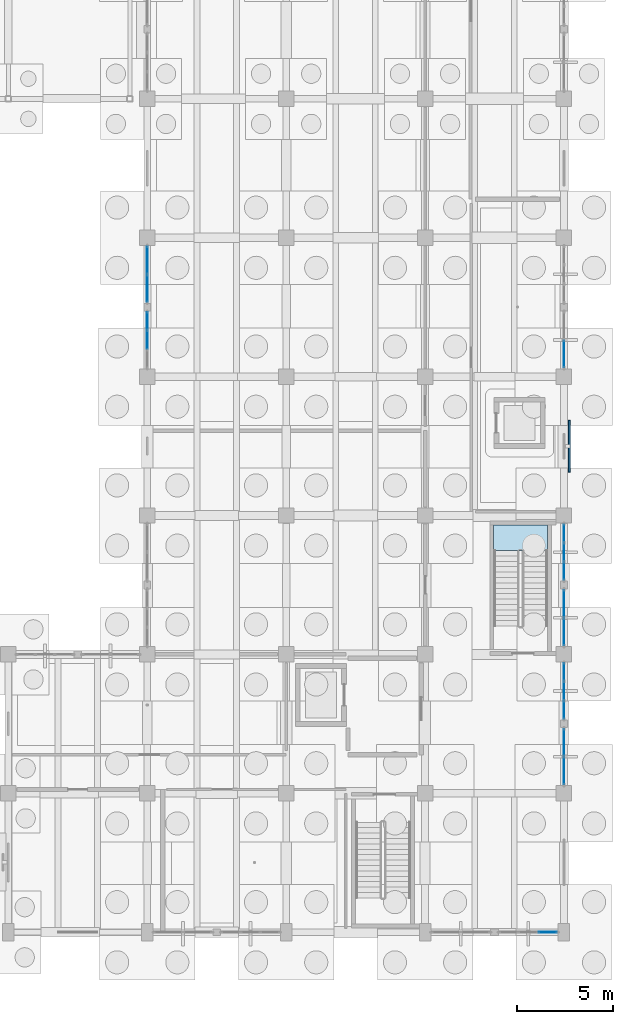
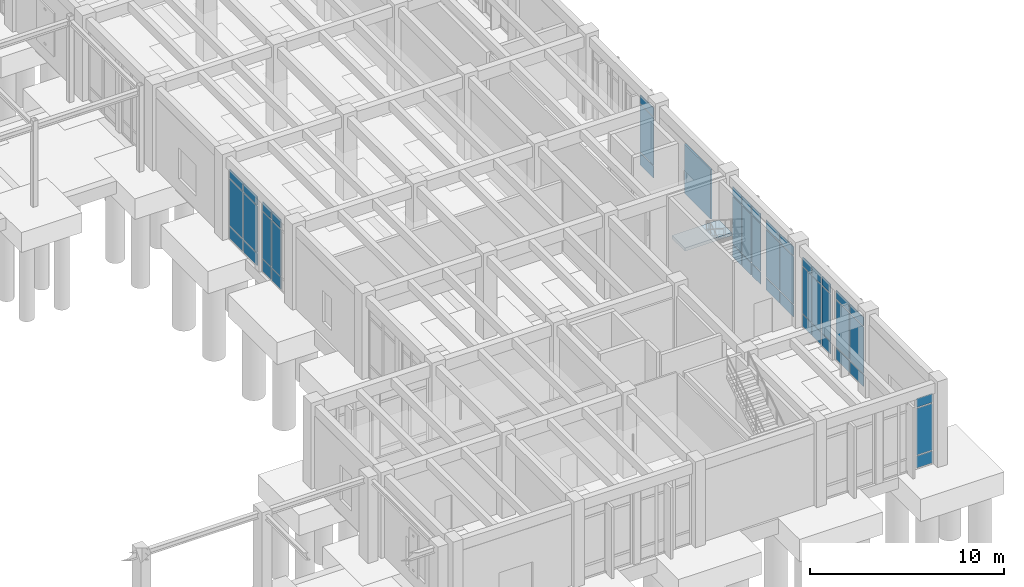
# One storey, part 57 of 93: 49 plates, 1 slab, 9 elements without a shape of their own.
"""IFC4 building model written with IfcOpenShell, lengths in metres."""

from ifc_helpers import new_model, si_unit, direction, frame, origin, origin_2d, place, context, subcontext, project, spatial, polyline, rectangle, outline, extrude, material, layer, layer_set, type_object, element, aggregate, save


model = new_model("IFC4")

# Units and contexts
model_context = context("Model", 3, precision=1e-05, world=origin(), true_north=direction((0.0, 1.0)))
body_context = subcontext(model_context, "Body", "Model", "MODEL_VIEW")
ifc_project = project(units=[si_unit("LENGTHUNIT", "METRE"), si_unit("AREAUNIT", "SQUARE_METRE"), si_unit("VOLUMEUNIT", "CUBIC_METRE"), si_unit("PLANEANGLEUNIT", "RADIAN"), si_unit("MASSUNIT", "GRAM", prefix="KILO")], contexts=[model_context])

# Site, building, storey
site_placement = place(None, origin())
site = spatial("IfcSite", under=ifc_project, at=site_placement, CompositionType="ELEMENT")
building_placement = place(site_placement, origin())
building = spatial("IfcBuilding", under=site, at=building_placement, Name="Koriwan Promenade Central Fire Station", CompositionType="ELEMENT")
storey_placement = place(building_placement, origin())
storey = spatial("IfcBuildingStorey", under=building, at=storey_placement, Name="L00", CompositionType="ELEMENT", Elevation=0.0)

# Curtain wall, plates
ifc_material_1 = material(Name="Aluminium EN AW-6063-T6 and low-E glazing", Category="aluminium")
ifc_layer_1 = layer(ifc_material_1, 0.159912109375, Name="Aluminium EN AW-6063-T6 and low-E glazing")
ifc_layer_set_1 = layer_set([ifc_layer_1], Name="Aluminium EN AW-6063-T6 and low-E glazing")
curtain_wall_type_1 = type_object("IfcCurtainWallType", Name="CurtainWall_48_310x449", PredefinedType="USERDEFINED", material=ifc_layer_set_1)
curtain_wall_1_placement = place(storey_placement, origin())
curtain_wall_1 = element("IfcCurtainWall", 1, at=curtain_wall_1_placement, inside=storey, type_object=curtain_wall_type_1, Name="V5 L00 unitised curtain wall 129", ObjectType="UNITISED CURTAIN WALL", PredefinedType="USERDEFINED")
ifc_material_2 = material(Name="Blast-resistant laminated safety glazing", Category="glass")
ifc_layer_2 = layer(ifc_material_2, 0.035888671875, Name="Blast-resistant laminated safety glazing")
ifc_layer_set_2 = layer_set([ifc_layer_2], Name="Blast-resistant laminated safety glazing")
plate_type_1 = type_object("IfcPlateType", Name="CWPanel_36", PredefinedType="CURTAIN_PANEL", material=ifc_layer_set_2)
plate_1_placement = place(storey_placement, frame((171.967041015625, 0.0, 0.06494140625), z_axis=(0.0, 0.0, 1.0), x_axis=(-1.0, 0.0, 0.0)))
plate_1 = element("IfcPlate", 2, at=plate_1_placement, type_object=plate_type_1, Name="CW-48 panel 1.1", PredefinedType="CURTAIN_PANEL", context=body_context, shape_type="SweptSolid", body=[
    extrude(rectangle(XDim=0.935791015625, YDim=0.035888671875, at=origin_2d()), origin(), (0.0, 0.0, 1.0), 0.75244140625),
])
plate_2_placement = place(storey_placement, frame((171.967041015625, 0.0, 0.88232421875), z_axis=(0.0, 0.0, 1.0), x_axis=(-1.0, 0.0, 0.0)))
plate_2 = element("IfcPlate", 3, at=plate_2_placement, type_object=plate_type_1, Name="CW-48 panel 1.2", PredefinedType="CURTAIN_PANEL", context=body_context, shape_type="SweptSolid", body=[
    extrude(rectangle(XDim=0.935791015625, YDim=0.035888671875, at=origin_2d()), origin(), (0.0, 0.0, 1.0), 2.925048828125),
])
plate_3_placement = place(storey_placement, frame((171.967041015625, 0.0, 3.87255859375), z_axis=(0.0, 0.0, 1.0), x_axis=(-1.0, 0.0, 0.0)))
plate_3 = element("IfcPlate", 4, at=plate_3_placement, type_object=plate_type_1, Name="CW-48 panel 1.3", PredefinedType="CURTAIN_PANEL", context=body_context, shape_type="SweptSolid", body=[
    extrude(rectangle(XDim=0.935791015625, YDim=0.035888671875, at=origin_2d()), origin(), (0.0, 0.0, 1.0), 0.552490234375),
])
aggregate(curtain_wall_1, [plate_1, plate_2, plate_3])

ifc_layer_3 = layer(ifc_material_1, 0.159912109375, Name="Aluminium EN AW-6063-T6 and low-E glazing")
ifc_layer_set_3 = layer_set([ifc_layer_3], Name="Aluminium EN AW-6063-T6 and low-E glazing")
curtain_wall_type_2 = type_object("IfcCurtainWallType", Name="CurtainWall_51_300x449", PredefinedType="USERDEFINED", material=ifc_layer_set_3)
curtain_wall_2_placement = place(storey_placement, origin())
curtain_wall_2 = element("IfcCurtainWall", 5, at=curtain_wall_2_placement, inside=storey, type_object=curtain_wall_type_2, Name="V5 L00 unitised curtain wall 137", ObjectType="UNITISED CURTAIN WALL", PredefinedType="USERDEFINED")
plate_4_placement = place(storey_placement, frame((151.199951171875, 30.699951171875, 0.06494140625), z_axis=(0.0, 0.0, 1.0), x_axis=(0.0, 1.0, 0.0)))
plate_4 = element("IfcPlate", 6, at=plate_4_placement, type_object=plate_type_1, Name="CW-51 panel 2.1", PredefinedType="CURTAIN_PANEL", context=body_context, shape_type="SweptSolid", body=[
    extrude(rectangle(XDim=0.93505859375, YDim=0.035888671875, at=origin_2d()), origin(), (0.0, 0.0, 1.0), 0.75244140625),
])
plate_5_placement = place(storey_placement, frame((151.199951171875, 30.699951171875, 0.88232421875), z_axis=(0.0, 0.0, 1.0), x_axis=(0.0, 1.0, 0.0)))
plate_5 = element("IfcPlate", 7, at=plate_5_placement, type_object=plate_type_1, Name="CW-51 panel 2.2", PredefinedType="CURTAIN_PANEL", context=body_context, shape_type="SweptSolid", body=[
    extrude(rectangle(XDim=0.93505859375, YDim=0.035888671875, at=origin_2d()), origin(), (0.0, 0.0, 1.0), 2.925048828125),
])
plate_6_placement = place(storey_placement, frame((151.199951171875, 30.699951171875, 3.87255859375), z_axis=(0.0, 0.0, 1.0), x_axis=(0.0, 1.0, 0.0)))
plate_6 = element("IfcPlate", 8, at=plate_6_placement, type_object=plate_type_1, Name="CW-51 panel 2.3", PredefinedType="CURTAIN_PANEL", context=body_context, shape_type="SweptSolid", body=[
    extrude(rectangle(XDim=0.93505859375, YDim=0.035888671875, at=origin_2d()), origin(), (0.0, 0.0, 1.0), 0.552490234375),
])
plate_7_placement = place(storey_placement, frame((151.199951171875, 31.683837890625, 0.06494140625), z_axis=(0.0, 0.0, 1.0), x_axis=(0.0, 1.0, 0.0)))
plate_7 = element("IfcPlate", 9, at=plate_7_placement, type_object=plate_type_1, Name="CW-51 panel 3.1", PredefinedType="CURTAIN_PANEL", context=body_context, shape_type="SweptSolid", body=[
    extrude(rectangle(XDim=0.902587890625, YDim=0.035888671875, at=origin_2d()), origin(), (0.0, 0.0, 1.0), 0.75244140625),
])
plate_8_placement = place(storey_placement, frame((151.199951171875, 31.683837890625, 0.88232421875), z_axis=(0.0, 0.0, 1.0), x_axis=(0.0, 1.0, 0.0)))
plate_8 = element("IfcPlate", 10, at=plate_8_placement, type_object=plate_type_1, Name="CW-51 panel 3.2", PredefinedType="CURTAIN_PANEL", context=body_context, shape_type="SweptSolid", body=[
    extrude(rectangle(XDim=0.902587890625, YDim=0.035888671875, at=origin_2d()), origin(), (0.0, 0.0, 1.0), 2.925048828125),
])
plate_9_placement = place(storey_placement, frame((151.199951171875, 31.683837890625, 3.87255859375), z_axis=(0.0, 0.0, 1.0), x_axis=(0.0, 1.0, 0.0)))
plate_9 = element("IfcPlate", 11, at=plate_9_placement, type_object=plate_type_1, Name="CW-51 panel 3.3", PredefinedType="CURTAIN_PANEL", context=body_context, shape_type="SweptSolid", body=[
    extrude(rectangle(XDim=0.902587890625, YDim=0.035888671875, at=origin_2d()), origin(), (0.0, 0.0, 1.0), 0.552490234375),
])
aggregate(curtain_wall_2, [plate_4, plate_5, plate_6, plate_7, plate_8, plate_9])

ifc_layer_4 = layer(ifc_material_1, 0.159912109375, Name="Aluminium EN AW-6063-T6 and low-E glazing")
ifc_layer_set_4 = layer_set([ifc_layer_4], Name="Aluminium EN AW-6063-T6 and low-E glazing")
curtain_wall_type_3 = type_object("IfcCurtainWallType", Name="CurtainWall_52_300x449", PredefinedType="USERDEFINED", material=ifc_layer_set_4)
curtain_wall_3_placement = place(storey_placement, origin())
curtain_wall_3 = element("IfcCurtainWall", 12, at=curtain_wall_3_placement, inside=storey, type_object=curtain_wall_type_3, Name="V5 L00 unitised curtain wall 138", ObjectType="UNITISED CURTAIN WALL", PredefinedType="USERDEFINED")
plate_10_placement = place(storey_placement, frame((151.199951171875, 33.36865234375, 0.0751953125), z_axis=(0.0, 0.0, 1.0), x_axis=(0.0, 1.0, 0.0)))
plate_10 = element("IfcPlate", 13, at=plate_10_placement, type_object=plate_type_1, Name="CW-52 panel 1.1", PredefinedType="CURTAIN_PANEL", context=body_context, shape_type="SweptSolid", body=[
    extrude(rectangle(XDim=1.387451171875, YDim=0.035888671875, at=origin_2d()), origin(), (0.0, 0.0, 1.0), 0.737548828125),
])
plate_11_placement = place(storey_placement, frame((151.199951171875, 33.36865234375, 0.887451171875), z_axis=(0.0, 0.0, 1.0), x_axis=(0.0, 1.0, 0.0)))
plate_11 = element("IfcPlate", 14, at=plate_11_placement, type_object=plate_type_1, Name="CW-52 panel 1.2", PredefinedType="CURTAIN_PANEL", context=body_context, shape_type="SweptSolid", body=[
    extrude(rectangle(XDim=1.387451171875, YDim=0.035888671875, at=origin_2d()), origin(), (0.0, 0.0, 1.0), 2.9150390625),
])
plate_12_placement = place(storey_placement, frame((151.199951171875, 33.36865234375, 3.87744140625), z_axis=(0.0, 0.0, 1.0), x_axis=(0.0, 1.0, 0.0)))
plate_12 = element("IfcPlate", 15, at=plate_12_placement, type_object=plate_type_1, Name="CW-52 panel 1.3", PredefinedType="CURTAIN_PANEL", context=body_context, shape_type="SweptSolid", body=[
    extrude(rectangle(XDim=1.387451171875, YDim=0.035888671875, at=origin_2d()), origin(), (0.0, 0.0, 1.0), 0.53759765625),
])
plate_13_placement = place(storey_placement, frame((151.199951171875, 34.831298828125, 0.0751953125), z_axis=(0.0, 0.0, 1.0), x_axis=(0.0, 1.0, 0.0)))
plate_13 = element("IfcPlate", 16, at=plate_13_placement, type_object=plate_type_1, Name="CW-52 panel 2.1", PredefinedType="CURTAIN_PANEL", context=body_context, shape_type="SweptSolid", body=[
    extrude(rectangle(XDim=1.387451171875, YDim=0.035888671875, at=origin_2d()), origin(), (0.0, 0.0, 1.0), 0.737548828125),
])
plate_14_placement = place(storey_placement, frame((151.199951171875, 34.831298828125, 0.887451171875), z_axis=(0.0, 0.0, 1.0), x_axis=(0.0, 1.0, 0.0)))
plate_14 = element("IfcPlate", 17, at=plate_14_placement, type_object=plate_type_1, Name="CW-52 panel 2.2", PredefinedType="CURTAIN_PANEL", context=body_context, shape_type="SweptSolid", body=[
    extrude(rectangle(XDim=1.387451171875, YDim=0.035888671875, at=origin_2d()), origin(), (0.0, 0.0, 1.0), 2.9150390625),
])
plate_15_placement = place(storey_placement, frame((151.199951171875, 34.831298828125, 3.87744140625), z_axis=(0.0, 0.0, 1.0), x_axis=(0.0, 1.0, 0.0)))
plate_15 = element("IfcPlate", 18, at=plate_15_placement, type_object=plate_type_1, Name="CW-52 panel 2.3", PredefinedType="CURTAIN_PANEL", context=body_context, shape_type="SweptSolid", body=[
    extrude(rectangle(XDim=1.387451171875, YDim=0.035888671875, at=origin_2d()), origin(), (0.0, 0.0, 1.0), 0.53759765625),
])
aggregate(curtain_wall_3, [plate_10, plate_11, plate_12, plate_13, plate_14, plate_15])

ifc_layer_5 = layer(ifc_material_1, 0.159912109375, Name="Aluminium EN AW-6063-T6 and low-E glazing")
ifc_layer_set_5 = layer_set([ifc_layer_5], Name="Aluminium EN AW-6063-T6 and low-E glazing")
curtain_wall_type_4 = type_object("IfcCurtainWallType", Name="CurtainWall_60_300x454", PredefinedType="USERDEFINED", material=ifc_layer_set_5)
curtain_wall_4_placement = place(storey_placement, origin())
curtain_wall_4 = element("IfcCurtainWall", 19, at=curtain_wall_4_placement, inside=storey, type_object=curtain_wall_type_4, Name="V5 L00 unitised curtain wall 156", ObjectType="UNITISED CURTAIN WALL", PredefinedType="USERDEFINED")
plate_16_placement = place(storey_placement, frame((172.800048828125, 29.96875, 0.0751953125), z_axis=(0.0, 0.0, 1.0), x_axis=(0.0, -1.0, 0.0)))
plate_16 = element("IfcPlate", 20, at=plate_16_placement, type_object=plate_type_1, Name="CW-60 panel 2.1", PredefinedType="CURTAIN_PANEL", context=body_context, shape_type="SweptSolid", body=[
    extrude(rectangle(XDim=1.387451171875, YDim=0.035888671875, at=origin_2d()), origin(), (0.0, 0.0, 1.0), 0.737548828125),
])
plate_17_placement = place(storey_placement, frame((172.800048828125, 29.96875, 0.8876953125), z_axis=(0.0, 0.0, 1.0), x_axis=(0.0, -1.0, 0.0)))
plate_17 = element("IfcPlate", 21, at=plate_17_placement, type_object=plate_type_1, Name="CW-60 panel 2.2", PredefinedType="CURTAIN_PANEL", context=body_context, shape_type="SweptSolid", body=[
    extrude(rectangle(XDim=1.387451171875, YDim=0.035888671875, at=origin_2d()), origin(), (0.0, 0.0, 1.0), 2.965087890625),
])
plate_18_placement = place(storey_placement, frame((172.800048828125, 29.96875, 3.927490234375), z_axis=(0.0, 0.0, 1.0), x_axis=(0.0, -1.0, 0.0)))
plate_18 = element("IfcPlate", 22, at=plate_18_placement, type_object=plate_type_1, Name="CW-60 panel 2.3", PredefinedType="CURTAIN_PANEL", context=body_context, shape_type="SweptSolid", body=[
    extrude(rectangle(XDim=1.387451171875, YDim=0.035888671875, at=origin_2d()), origin(), (0.0, 0.0, 1.0), 0.53759765625),
])
aggregate(curtain_wall_4, [plate_16, plate_17, plate_18])

ifc_layer_6 = layer(ifc_material_1, 0.159912109375, Name="Aluminium EN AW-6063-T6 and low-E glazing")
ifc_layer_set_6 = layer_set([ifc_layer_6], Name="Aluminium EN AW-6063-T6 and low-E glazing")
curtain_wall_type_5 = type_object("IfcCurtainWallType", Name="CurtainWall_59_300x454", PredefinedType="USERDEFINED", material=ifc_layer_set_6)
curtain_wall_5_placement = place(storey_placement, origin())
curtain_wall_5 = element("IfcCurtainWall", 23, at=curtain_wall_5_placement, inside=storey, type_object=curtain_wall_type_5, Name="V5 L00 unitised curtain wall 157", ObjectType="UNITISED CURTAIN WALL", PredefinedType="USERDEFINED")
plate_19_placement = place(storey_placement, frame((172.800048828125, 20.683837890625, 0.06494140625), z_axis=(0.0, 0.0, 1.0), x_axis=(0.0, -1.0, 0.0)))
plate_19 = element("IfcPlate", 24, at=plate_19_placement, type_object=plate_type_1, Name="CW-59 panel 1.1", PredefinedType="CURTAIN_PANEL", context=body_context, shape_type="SweptSolid", body=[
    extrude(rectangle(XDim=0.902587890625, YDim=0.035888671875, at=origin_2d()), origin(), (0.0, 0.0, 1.0), 0.75244140625),
])
plate_20_placement = place(storey_placement, frame((172.800048828125, 20.683837890625, 0.882568359375), z_axis=(0.0, 0.0, 1.0), x_axis=(0.0, -1.0, 0.0)))
plate_20 = element("IfcPlate", 25, at=plate_20_placement, type_object=plate_type_1, Name="CW-59 panel 1.2", PredefinedType="CURTAIN_PANEL", context=body_context, shape_type="SweptSolid", body=[
    extrude(rectangle(XDim=0.902587890625, YDim=0.035888671875, at=origin_2d()), origin(), (0.0, 0.0, 1.0), 2.97509765625),
])
plate_21_placement = place(storey_placement, frame((172.800048828125, 20.683837890625, 3.92236328125), z_axis=(0.0, 0.0, 1.0), x_axis=(0.0, -1.0, 0.0)))
plate_21 = element("IfcPlate", 26, at=plate_21_placement, type_object=plate_type_1, Name="CW-59 panel 1.3", PredefinedType="CURTAIN_PANEL", context=body_context, shape_type="SweptSolid", body=[
    extrude(rectangle(XDim=0.902587890625, YDim=0.035888671875, at=origin_2d()), origin(), (0.0, 0.0, 1.0), 0.552490234375),
])
plate_22_placement = place(storey_placement, frame((172.800048828125, 19.699951171875, 0.06494140625), z_axis=(0.0, 0.0, 1.0), x_axis=(0.0, -1.0, 0.0)))
plate_22 = element("IfcPlate", 27, at=plate_22_placement, type_object=plate_type_1, Name="CW-59 panel 2.1", PredefinedType="CURTAIN_PANEL", context=body_context, shape_type="SweptSolid", body=[
    extrude(rectangle(XDim=0.93505859375, YDim=0.035888671875, at=origin_2d()), origin(), (0.0, 0.0, 1.0), 0.75244140625),
])
plate_23_placement = place(storey_placement, frame((172.800048828125, 19.699951171875, 0.882568359375), z_axis=(0.0, 0.0, 1.0), x_axis=(0.0, -1.0, 0.0)))
plate_23 = element("IfcPlate", 28, at=plate_23_placement, type_object=plate_type_1, Name="CW-59 panel 2.2", PredefinedType="CURTAIN_PANEL", context=body_context, shape_type="SweptSolid", body=[
    extrude(rectangle(XDim=0.93505859375, YDim=0.035888671875, at=origin_2d()), origin(), (0.0, 0.0, 1.0), 2.97509765625),
])
plate_24_placement = place(storey_placement, frame((172.800048828125, 19.699951171875, 3.92236328125), z_axis=(0.0, 0.0, 1.0), x_axis=(0.0, -1.0, 0.0)))
plate_24 = element("IfcPlate", 29, at=plate_24_placement, type_object=plate_type_1, Name="CW-59 panel 2.3", PredefinedType="CURTAIN_PANEL", context=body_context, shape_type="SweptSolid", body=[
    extrude(rectangle(XDim=0.93505859375, YDim=0.035888671875, at=origin_2d()), origin(), (0.0, 0.0, 1.0), 0.552490234375),
])
plate_25_placement = place(storey_placement, frame((172.800048828125, 18.71630859375, 0.06494140625), z_axis=(0.0, 0.0, 1.0), x_axis=(0.0, -1.0, 0.0)))
plate_25 = element("IfcPlate", 30, at=plate_25_placement, type_object=plate_type_1, Name="CW-59 panel 3.1", PredefinedType="CURTAIN_PANEL", context=body_context, shape_type="SweptSolid", body=[
    extrude(rectangle(XDim=0.902587890625, YDim=0.035888671875, at=origin_2d()), origin(), (0.0, 0.0, 1.0), 0.75244140625),
])
plate_26_placement = place(storey_placement, frame((172.800048828125, 18.71630859375, 0.882568359375), z_axis=(0.0, 0.0, 1.0), x_axis=(0.0, -1.0, 0.0)))
plate_26 = element("IfcPlate", 31, at=plate_26_placement, type_object=plate_type_1, Name="CW-59 panel 3.2", PredefinedType="CURTAIN_PANEL", context=body_context, shape_type="SweptSolid", body=[
    extrude(rectangle(XDim=0.902587890625, YDim=0.035888671875, at=origin_2d()), origin(), (0.0, 0.0, 1.0), 2.97509765625),
])
plate_27_placement = place(storey_placement, frame((172.800048828125, 18.71630859375, 3.92236328125), z_axis=(0.0, 0.0, 1.0), x_axis=(0.0, -1.0, 0.0)))
plate_27 = element("IfcPlate", 32, at=plate_27_placement, type_object=plate_type_1, Name="CW-59 panel 3.3", PredefinedType="CURTAIN_PANEL", context=body_context, shape_type="SweptSolid", body=[
    extrude(rectangle(XDim=0.902587890625, YDim=0.035888671875, at=origin_2d()), origin(), (0.0, 0.0, 1.0), 0.552490234375),
])
aggregate(curtain_wall_5, [plate_19, plate_20, plate_21, plate_22, plate_23, plate_24, plate_25, plate_26, plate_27])

curtain_wall_6_placement = place(storey_placement, origin())
curtain_wall_6 = element("IfcCurtainWall", 33, at=curtain_wall_6_placement, inside=storey, type_object=curtain_wall_type_4, Name="V5 L00 unitised curtain wall 158", ObjectType="UNITISED CURTAIN WALL", PredefinedType="USERDEFINED")
plate_28_placement = place(storey_placement, frame((172.800048828125, 17.03125, 0.0751953125), z_axis=(0.0, 0.0, 1.0), x_axis=(0.0, -1.0, 0.0)))
plate_28 = element("IfcPlate", 34, at=plate_28_placement, type_object=plate_type_1, Name="CW-60 panel 1.1", PredefinedType="CURTAIN_PANEL", context=body_context, shape_type="SweptSolid", body=[
    extrude(rectangle(XDim=1.387451171875, YDim=0.035888671875, at=origin_2d()), origin(), (0.0, 0.0, 1.0), 0.737548828125),
])
plate_29_placement = place(storey_placement, frame((172.800048828125, 17.03125, 0.8876953125), z_axis=(0.0, 0.0, 1.0), x_axis=(0.0, -1.0, 0.0)))
plate_29 = element("IfcPlate", 35, at=plate_29_placement, type_object=plate_type_1, Name="CW-60 panel 1.2", PredefinedType="CURTAIN_PANEL", context=body_context, shape_type="SweptSolid", body=[
    extrude(rectangle(XDim=1.387451171875, YDim=0.035888671875, at=origin_2d()), origin(), (0.0, 0.0, 1.0), 2.965087890625),
])
plate_30_placement = place(storey_placement, frame((172.800048828125, 17.03125, 3.927490234375), z_axis=(0.0, 0.0, 1.0), x_axis=(0.0, -1.0, 0.0)))
plate_30 = element("IfcPlate", 36, at=plate_30_placement, type_object=plate_type_1, Name="CW-60 panel 1.3", PredefinedType="CURTAIN_PANEL", context=body_context, shape_type="SweptSolid", body=[
    extrude(rectangle(XDim=1.387451171875, YDim=0.035888671875, at=origin_2d()), origin(), (0.0, 0.0, 1.0), 0.53759765625),
])
plate_31_placement = place(storey_placement, frame((172.800048828125, 15.56884765625, 0.0751953125), z_axis=(0.0, 0.0, 1.0), x_axis=(0.0, -1.0, 0.0)))
plate_31 = element("IfcPlate", 37, at=plate_31_placement, type_object=plate_type_1, Name="CW-60 panel 2.1", PredefinedType="CURTAIN_PANEL", context=body_context, shape_type="SweptSolid", body=[
    extrude(rectangle(XDim=1.387451171875, YDim=0.035888671875, at=origin_2d()), origin(), (0.0, 0.0, 1.0), 0.737548828125),
])
plate_32_placement = place(storey_placement, frame((172.800048828125, 15.56884765625, 0.8876953125), z_axis=(0.0, 0.0, 1.0), x_axis=(0.0, -1.0, 0.0)))
plate_32 = element("IfcPlate", 38, at=plate_32_placement, type_object=plate_type_1, Name="CW-60 panel 2.2", PredefinedType="CURTAIN_PANEL", context=body_context, shape_type="SweptSolid", body=[
    extrude(rectangle(XDim=1.387451171875, YDim=0.035888671875, at=origin_2d()), origin(), (0.0, 0.0, 1.0), 2.965087890625),
])
plate_33_placement = place(storey_placement, frame((172.800048828125, 15.56884765625, 3.927490234375), z_axis=(0.0, 0.0, 1.0), x_axis=(0.0, -1.0, 0.0)))
plate_33 = element("IfcPlate", 39, at=plate_33_placement, type_object=plate_type_1, Name="CW-60 panel 2.3", PredefinedType="CURTAIN_PANEL", context=body_context, shape_type="SweptSolid", body=[
    extrude(rectangle(XDim=1.387451171875, YDim=0.035888671875, at=origin_2d()), origin(), (0.0, 0.0, 1.0), 0.53759765625),
])
aggregate(curtain_wall_6, [plate_28, plate_29, plate_30, plate_31, plate_32, plate_33])

curtain_wall_7_placement = place(storey_placement, origin())
curtain_wall_7 = element("IfcCurtainWall", 40, at=curtain_wall_7_placement, inside=storey, type_object=curtain_wall_type_2, Name="V5 L00 unitised curtain wall 159", ObjectType="UNITISED CURTAIN WALL", PredefinedType="USERDEFINED")
plate_34_placement = place(storey_placement, frame((172.800048828125, 13.483642578125, 0.06494140625), z_axis=(0.0, 0.0, 1.0), x_axis=(0.0, -1.0, 0.0)))
plate_34 = element("IfcPlate", 41, at=plate_34_placement, type_object=plate_type_1, Name="CW-51 panel 1.1", PredefinedType="CURTAIN_PANEL", context=body_context, shape_type="SweptSolid", body=[
    extrude(rectangle(XDim=0.902587890625, YDim=0.035888671875, at=origin_2d()), origin(), (0.0, 0.0, 1.0), 0.75244140625),
])
plate_35_placement = place(storey_placement, frame((172.800048828125, 13.483642578125, 0.88232421875), z_axis=(0.0, 0.0, 1.0), x_axis=(0.0, -1.0, 0.0)))
plate_35 = element("IfcPlate", 42, at=plate_35_placement, type_object=plate_type_1, Name="CW-51 panel 1.2", PredefinedType="CURTAIN_PANEL", context=body_context, shape_type="SweptSolid", body=[
    extrude(rectangle(XDim=0.902587890625, YDim=0.035888671875, at=origin_2d()), origin(), (0.0, 0.0, 1.0), 2.925048828125),
])
plate_36_placement = place(storey_placement, frame((172.800048828125, 13.483642578125, 3.87255859375), z_axis=(0.0, 0.0, 1.0), x_axis=(0.0, -1.0, 0.0)))
plate_36 = element("IfcPlate", 43, at=plate_36_placement, type_object=plate_type_1, Name="CW-51 panel 1.3", PredefinedType="CURTAIN_PANEL", context=body_context, shape_type="SweptSolid", body=[
    extrude(rectangle(XDim=0.902587890625, YDim=0.035888671875, at=origin_2d()), origin(), (0.0, 0.0, 1.0), 0.552490234375),
])
plate_37_placement = place(storey_placement, frame((172.800048828125, 12.5, 0.06494140625), z_axis=(0.0, 0.0, 1.0), x_axis=(0.0, -1.0, 0.0)))
plate_37 = element("IfcPlate", 44, at=plate_37_placement, type_object=plate_type_1, Name="CW-51 panel 2.1", PredefinedType="CURTAIN_PANEL", context=body_context, shape_type="SweptSolid", body=[
    extrude(rectangle(XDim=0.93505859375, YDim=0.035888671875, at=origin_2d()), origin(), (0.0, 0.0, 1.0), 0.75244140625),
])
plate_38_placement = place(storey_placement, frame((172.800048828125, 12.5, 0.88232421875), z_axis=(0.0, 0.0, 1.0), x_axis=(0.0, -1.0, 0.0)))
plate_38 = element("IfcPlate", 45, at=plate_38_placement, type_object=plate_type_1, Name="CW-51 panel 2.2", PredefinedType="CURTAIN_PANEL", context=body_context, shape_type="SweptSolid", body=[
    extrude(rectangle(XDim=0.93505859375, YDim=0.035888671875, at=origin_2d()), origin(), (0.0, 0.0, 1.0), 2.925048828125),
])
plate_39_placement = place(storey_placement, frame((172.800048828125, 12.5, 3.87255859375), z_axis=(0.0, 0.0, 1.0), x_axis=(0.0, -1.0, 0.0)))
plate_39 = element("IfcPlate", 46, at=plate_39_placement, type_object=plate_type_1, Name="CW-51 panel 2.3", PredefinedType="CURTAIN_PANEL", context=body_context, shape_type="SweptSolid", body=[
    extrude(rectangle(XDim=0.93505859375, YDim=0.035888671875, at=origin_2d()), origin(), (0.0, 0.0, 1.0), 0.552490234375),
])
plate_40_placement = place(storey_placement, frame((172.800048828125, 11.516357421875, 0.06494140625), z_axis=(0.0, 0.0, 1.0), x_axis=(0.0, -1.0, 0.0)))
plate_40 = element("IfcPlate", 47, at=plate_40_placement, type_object=plate_type_1, Name="CW-51 panel 3.1", PredefinedType="CURTAIN_PANEL", context=body_context, shape_type="SweptSolid", body=[
    extrude(rectangle(XDim=0.902587890625, YDim=0.035888671875, at=origin_2d()), origin(), (0.0, 0.0, 1.0), 0.75244140625),
])
plate_41_placement = place(storey_placement, frame((172.800048828125, 11.516357421875, 0.88232421875), z_axis=(0.0, 0.0, 1.0), x_axis=(0.0, -1.0, 0.0)))
plate_41 = element("IfcPlate", 48, at=plate_41_placement, type_object=plate_type_1, Name="CW-51 panel 3.2", PredefinedType="CURTAIN_PANEL", context=body_context, shape_type="SweptSolid", body=[
    extrude(rectangle(XDim=0.902587890625, YDim=0.035888671875, at=origin_2d()), origin(), (0.0, 0.0, 1.0), 2.925048828125),
])
plate_42_placement = place(storey_placement, frame((172.800048828125, 11.516357421875, 3.87255859375), z_axis=(0.0, 0.0, 1.0), x_axis=(0.0, -1.0, 0.0)))
plate_42 = element("IfcPlate", 49, at=plate_42_placement, type_object=plate_type_1, Name="CW-51 panel 3.3", PredefinedType="CURTAIN_PANEL", context=body_context, shape_type="SweptSolid", body=[
    extrude(rectangle(XDim=0.902587890625, YDim=0.035888671875, at=origin_2d()), origin(), (0.0, 0.0, 1.0), 0.552490234375),
])
aggregate(curtain_wall_7, [plate_34, plate_35, plate_36, plate_37, plate_38, plate_39, plate_40, plate_41, plate_42])

curtain_wall_8_placement = place(storey_placement, origin())
curtain_wall_8 = element("IfcCurtainWall", 50, at=curtain_wall_8_placement, inside=storey, type_object=curtain_wall_type_3, Name="V5 L00 unitised curtain wall 160", ObjectType="UNITISED CURTAIN WALL", PredefinedType="USERDEFINED")
plate_43_placement = place(storey_placement, frame((172.800048828125, 9.831298828125, 0.0751953125), z_axis=(0.0, 0.0, 1.0), x_axis=(0.0, -1.0, 0.0)))
plate_43 = element("IfcPlate", 51, at=plate_43_placement, type_object=plate_type_1, Name="CW-52 panel 1.1", PredefinedType="CURTAIN_PANEL", context=body_context, shape_type="SweptSolid", body=[
    extrude(rectangle(XDim=1.387451171875, YDim=0.035888671875, at=origin_2d()), origin(), (0.0, 0.0, 1.0), 0.737548828125),
])
plate_44_placement = place(storey_placement, frame((172.800048828125, 9.831298828125, 0.887451171875), z_axis=(0.0, 0.0, 1.0), x_axis=(0.0, -1.0, 0.0)))
plate_44 = element("IfcPlate", 52, at=plate_44_placement, type_object=plate_type_1, Name="CW-52 panel 1.2", PredefinedType="CURTAIN_PANEL", context=body_context, shape_type="SweptSolid", body=[
    extrude(rectangle(XDim=1.387451171875, YDim=0.035888671875, at=origin_2d()), origin(), (0.0, 0.0, 1.0), 2.9150390625),
])
plate_45_placement = place(storey_placement, frame((172.800048828125, 9.831298828125, 3.87744140625), z_axis=(0.0, 0.0, 1.0), x_axis=(0.0, -1.0, 0.0)))
plate_45 = element("IfcPlate", 53, at=plate_45_placement, type_object=plate_type_1, Name="CW-52 panel 1.3", PredefinedType="CURTAIN_PANEL", context=body_context, shape_type="SweptSolid", body=[
    extrude(rectangle(XDim=1.387451171875, YDim=0.035888671875, at=origin_2d()), origin(), (0.0, 0.0, 1.0), 0.53759765625),
])
plate_46_placement = place(storey_placement, frame((172.800048828125, 8.36865234375, 0.0751953125), z_axis=(0.0, 0.0, 1.0), x_axis=(0.0, -1.0, 0.0)))
plate_46 = element("IfcPlate", 54, at=plate_46_placement, type_object=plate_type_1, Name="CW-52 panel 2.1", PredefinedType="CURTAIN_PANEL", context=body_context, shape_type="SweptSolid", body=[
    extrude(rectangle(XDim=1.387451171875, YDim=0.035888671875, at=origin_2d()), origin(), (0.0, 0.0, 1.0), 0.737548828125),
])
plate_47_placement = place(storey_placement, frame((172.800048828125, 8.36865234375, 0.887451171875), z_axis=(0.0, 0.0, 1.0), x_axis=(0.0, -1.0, 0.0)))
plate_47 = element("IfcPlate", 55, at=plate_47_placement, type_object=plate_type_1, Name="CW-52 panel 2.2", PredefinedType="CURTAIN_PANEL", context=body_context, shape_type="SweptSolid", body=[
    extrude(rectangle(XDim=1.387451171875, YDim=0.035888671875, at=origin_2d()), origin(), (0.0, 0.0, 1.0), 2.9150390625),
])
plate_48_placement = place(storey_placement, frame((172.800048828125, 8.36865234375, 3.87744140625), z_axis=(0.0, 0.0, 1.0), x_axis=(0.0, -1.0, 0.0)))
plate_48 = element("IfcPlate", 56, at=plate_48_placement, type_object=plate_type_1, Name="CW-52 panel 2.3", PredefinedType="CURTAIN_PANEL", context=body_context, shape_type="SweptSolid", body=[
    extrude(rectangle(XDim=1.387451171875, YDim=0.035888671875, at=origin_2d()), origin(), (0.0, 0.0, 1.0), 0.53759765625),
])
aggregate(curtain_wall_8, [plate_43, plate_44, plate_45, plate_46, plate_47, plate_48])

# Plate
ifc_material_3 = material(Name="Precast concrete C40/50", Category="concrete")
ifc_layer_7 = layer(ifc_material_3, 0.094970703125, Name="Precast concrete C40/50")
ifc_layer_set_7 = layer_set([ifc_layer_7], Name="Precast concrete C40/50")
plate_type_2 = type_object("IfcPlateType", Name="JaliScreen_JL-04", PredefinedType="USERDEFINED", material=ifc_layer_set_7)
plate_49_placement = place(storey_placement, frame((173.077392578125, 25.199951171875, 0.695068359375), z_axis=(0.0, 0.0, 1.0), x_axis=(0.0, -1.0, 0.0)))
element("IfcPlate", 57, at=plate_49_placement, inside=storey, type_object=plate_type_2, Name="V5 L00 Mughal jali screen 014", ObjectType="JALI SCREEN", PredefinedType="USERDEFINED", context=body_context, shape_type="SweptSolid", body=[
    extrude(rectangle(XDim=2.699951171875, YDim=0.094970703125, at=origin_2d()), origin(), (0.0, 0.0, 1.0), 3.10009765625),
])

# Stair, slab
ifc_material_4 = material(Name="Concrete C35/45", Category="concrete")
stair_type = type_object("IfcStairType", Name="Stair_HALF_30R_1320", PredefinedType="HALF_TURN_STAIR", material=ifc_material_4)
stair_placement = place(storey_placement, origin())
stair = element("IfcStair", 58, at=stair_placement, inside=storey, type_object=stair_type, Name="L00 Protected Stair ST27", PredefinedType="HALF_TURN_STAIR")
ifc_layer_8 = layer(ifc_material_4, 0.199951171875, Name="Concrete C35/45")
ifc_layer_set_8 = layer_set([ifc_layer_8], Name="Concrete C35/45")
slab_type = type_object("IfcSlabType", Name="StairLanding_200", PredefinedType="LANDING", material=ifc_layer_set_8)
slab_placement = place(storey_placement, frame((0.0, 0.0, 2.5)))
slab = element("IfcSlab", 59, at=slab_placement, type_object=slab_type, Name="ST27 landing 1", PredefinedType="LANDING", context=body_context, shape_type="SweptSolid", body=[
    extrude(outline(polyline([(171.949951171875, 19.7900390625), (171.949951171875, 21.110107421875), (169.159912109375, 21.110107421875), (169.159912109375, 19.7900390625), (171.949951171875, 19.7900390625)])), origin(), (0.0, 0.0, 1.0), 0.199951171875),
])
aggregate(stair, [slab])

save(model, "model.ifc")
